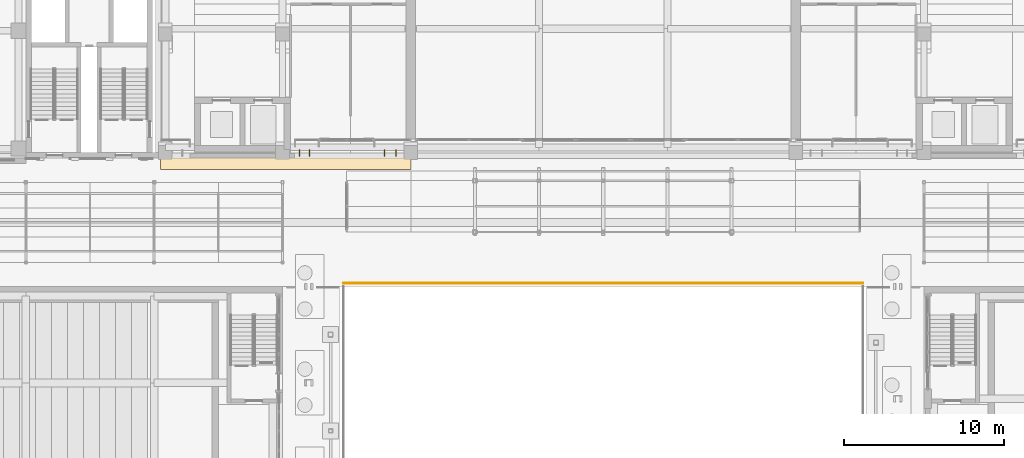
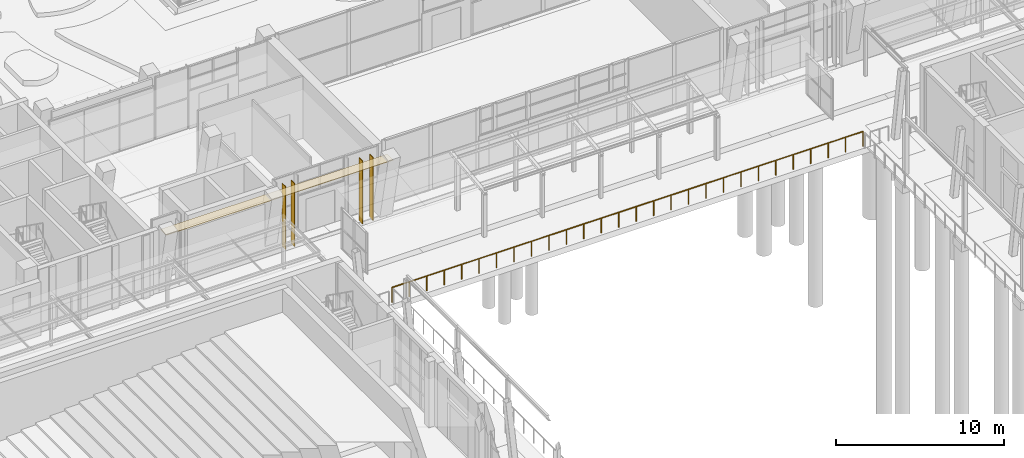
# One storey, part 123 of 144: 4 shading devices, 1 covering, 1 railing.
"""IFC4 building model written with IfcOpenShell, lengths in metres."""

import ifcopenshell
import ifcopenshell.guid

model = None  # the IFC model being written
_history = None  # IfcOwnerHistory: only IFC2X3 demands one
_inside = {}  # id of a spatial element -> (the spatial element, [elements in it])
_under = {}  # id of a project, library or spatial element -> (it, [spatial elements below it])
_declared = {}  # id of a project -> (the project, [libraries it declares])
_typed = {}  # id of a type object -> (the type object, [elements of that type])
_made_of = {}  # id of a material, layer set ... -> (it, [elements and type objects made of it])


def new_model(schema):
    """Start an empty IFC model of exactly this schema.

    Asked for "IFC4X3", IfcOpenShell would pick the latest addendum, in which some entities
    have other attributes; the version numbers below select the first issue.
    IFC2X3 requires an IfcOwnerHistory on every rooted entity: one is made here for all.
    """
    global model, _history
    if schema == "IFC4X3":
        model = ifcopenshell.file(schema_version=(4, 3, 0, 0))
    else:
        model = ifcopenshell.file(schema=schema)
    _inside.clear()
    _under.clear()
    _declared.clear()
    _typed.clear()
    _made_of.clear()
    _history = None
    if model.schema == "IFC2X3":
        org = make("IfcOrganization", Name="unknown")
        user = make(
            "IfcPersonAndOrganization",
            ThePerson=make("IfcPerson", FamilyName="unknown"),
            TheOrganization=org,
        )
        app = make(
            "IfcApplication",
            ApplicationDeveloper=org,
            Version="unknown",
            ApplicationFullName="unknown",
            ApplicationIdentifier="unknown",
        )
        _history = make(
            "IfcOwnerHistory",
            OwningUser=user,
            OwningApplication=app,
            ChangeAction="ADDED",
            CreationDate=0,
        )
    return model


def make(cls, **values):
    """One entity of the class cls with the attributes given. An attribute that is None is left unset."""
    return model.create_entity(
        cls, **{name: value for name, value in values.items() if value is not None}
    )


def rooted(cls, **values):
    """An entity with a GlobalId (a new one), such as an element, a storey or a relation."""
    return make(cls, GlobalId=ifcopenshell.guid.new(), OwnerHistory=_history, **values)


def si_unit(unit_type, name, prefix=None):
    """IfcSIUnit, for example si_unit("LENGTHUNIT", "METRE", prefix="MILLI")."""
    return make("IfcSIUnit", UnitType=unit_type, Prefix=prefix, Name=name)


def assignment(units):
    """IfcUnitAssignment: the units of a project."""
    return None if units is None else make("IfcUnitAssignment", Units=units)


def point(xyz):
    """IfcCartesianPoint."""
    return None if xyz is None else make("IfcCartesianPoint", Coordinates=xyz)


def direction(xyz):
    """IfcDirection."""
    return None if xyz is None else make("IfcDirection", DirectionRatios=xyz)


def frame(location, z_axis=None, x_axis=None):
    """IfcAxis2Placement3D, a coordinate frame: its origin and axes. An axis left out is left unset."""
    return make(
        "IfcAxis2Placement3D",
        Location=point(location),
        Axis=direction(z_axis),
        RefDirection=direction(x_axis),
    )


def frame_2d(location, x_axis=None):
    """IfcAxis2Placement2D, a coordinate frame in the plane: its origin and x axis."""
    return make(
        "IfcAxis2Placement2D", Location=point(location), RefDirection=direction(x_axis)
    )


def origin():
    """The frame at (0, 0, 0) with its axes left unset."""
    return frame((0.0, 0.0, 0.0))


def origin_2d():
    """The frame at (0, 0) in the plane with its x axis left unset."""
    return frame_2d((0.0, 0.0))


def place(relative_to, where):
    """IfcLocalPlacement: puts the frame where relative to a parent placement (None: the world)."""
    return make(
        "IfcLocalPlacement", PlacementRelTo=relative_to, RelativePlacement=where
    )


def context(
    kind, dimensions, precision=None, world=None, true_north=None, identifier=None
):
    """IfcGeometricRepresentationContext, for example the 3D "Model" context."""
    return make(
        "IfcGeometricRepresentationContext",
        ContextIdentifier=identifier,
        ContextType=kind,
        CoordinateSpaceDimension=dimensions,
        Precision=precision,
        WorldCoordinateSystem=world,
        TrueNorth=true_north,
    )


def subcontext(parent, identifier, kind, view, scale=None):
    """IfcGeometricRepresentationSubContext, for example "Body" below "Model"."""
    return make(
        "IfcGeometricRepresentationSubContext",
        ContextIdentifier=identifier,
        ContextType=kind,
        ParentContext=parent,
        TargetScale=scale,
        TargetView=view,
    )


def project(units=None, contexts=None):
    """IfcProject with its units and contexts."""
    return rooted(
        "IfcProject",
        Name="project",
        RepresentationContexts=contexts,
        UnitsInContext=assignment(units),
    )


def spatial(cls, under=None, at=None, **own):
    """A site, building, storey or space (cls), placed at a placement, below another one or the project."""
    s = rooted(cls, ObjectPlacement=at, **own)
    if under is not None:
        _under.setdefault(under.id(), (under, []))[1].append(s)
    return s


def profile(cls, at=None, kind="AREA", **sizes):
    """A parametric profile (cls). Its sizes go by their IFC names, for example OverallWidth=200.0."""
    return make(cls, ProfileType=kind, Position=at, **sizes)


def rectangle(**sizes):
    """IfcRectangleProfileDef."""
    return profile("IfcRectangleProfileDef", **sizes)


def circle(**sizes):
    """IfcCircleProfileDef."""
    return profile("IfcCircleProfileDef", **sizes)


def extrude(swept, where, along, depth):
    """IfcExtrudedAreaSolid: the profile swept, set in the frame where, extruded along a direction by depth."""
    return make(
        "IfcExtrudedAreaSolid",
        SweptArea=swept,
        Position=where,
        ExtrudedDirection=direction(along),
        Depth=depth,
    )


def shape(context_of_items, identifier, shape_type, items):
    """IfcShapeRepresentation: the items that make up one representation, for example the "Body"."""
    return make(
        "IfcShapeRepresentation",
        ContextOfItems=context_of_items,
        RepresentationIdentifier=identifier,
        RepresentationType=shape_type,
        Items=items,
    )


def material(Name=None, Category=None):
    """IfcMaterial."""
    return make("IfcMaterial", Name=Name, Category=Category)


def layer(
    of_material, thickness, ventilated=None, Name=None, Category=None, Priority=None
):
    """IfcMaterialLayer: one layer of a wall or slab, of a material (None: an air gap)."""
    return make(
        "IfcMaterialLayer",
        Material=of_material,
        LayerThickness=thickness,
        IsVentilated=ventilated,
        Name=Name,
        Category=Category,
        Priority=Priority,
    )


def layer_set(layers, Name=None):
    """IfcMaterialLayerSet."""
    return make("IfcMaterialLayerSet", MaterialLayers=layers, LayerSetName=Name)


def made_of(thing, what):
    """Note that an element or type object is made of a material, layer set ...; save() writes the relation."""
    if what is not None:
        _made_of.setdefault(what.id(), (what, []))[1].append(thing)
    return thing


def type_object(cls, material=None, **own):
    """A type object (cls), such as IfcWallType, which elements share."""
    return made_of(rooted(cls, **own), material)


def element(
    cls,
    number,
    at=None,
    inside=None,
    cuts=None,
    type_object=None,
    material=None,
    context=None,
    identifier="Body",
    shape_type=None,
    held_by="IfcProductDefinitionShape",
    body=None,
    shapes=None,
    **own,
):
    """One element of the class cls, such as IfcWall. Its Tag is "e" and its number.

    at: its placement. inside: the storey or other place that contains it. cuts: it is an
    opening in that element (IfcRelVoidsElement). A single representation is given by context,
    identifier, shape_type and body (its items); several are given by shapes. held_by: the class
    of the entity that holds the representations. save() writes the other relations.
    """
    e = rooted(cls, Tag="e%d" % number, ObjectPlacement=at, **own)
    if body is not None:
        shapes = [shape(context, identifier, shape_type, body)]
    if shapes is not None:
        e.Representation = make(held_by, Representations=shapes)
    if inside is not None:
        _inside.setdefault(inside.id(), (inside, []))[1].append(e)
    if cuts is not None:
        rooted(
            "IfcRelVoidsElement", RelatingBuildingElement=cuts, RelatedOpeningElement=e
        )
    if type_object is not None:
        _typed.setdefault(type_object.id(), (type_object, []))[1].append(e)
    return made_of(e, material)


def aggregate(whole, parts):
    """IfcRelAggregates: a whole, such as a stair, and the parts it consists of."""
    return rooted("IfcRelAggregates", RelatingObject=whole, RelatedObjects=parts)


def save(model, path):
    """Write the relations noted so far, then the file.

    IfcRelAggregates (storeys below a building ...), IfcRelContainedInSpatialStructure (elements
    in a storey), IfcRelDefinesByType, IfcRelAssociatesMaterial and IfcRelDeclares: one each for
    every whole, place, type object, material and project.
    """
    for whole, parts in _under.values():
        aggregate(whole, parts)
    for where, things in _inside.values():
        rooted(
            "IfcRelContainedInSpatialStructure",
            RelatedElements=things,
            RelatingStructure=where,
        )
    for kind, things in _typed.values():
        rooted("IfcRelDefinesByType", RelatedObjects=things, RelatingType=kind)
    for what, things in _made_of.values():
        rooted("IfcRelAssociatesMaterial", RelatedObjects=things, RelatingMaterial=what)
    for by, libraries in _declared.values():
        rooted("IfcRelDeclares", RelatingContext=by, RelatedDefinitions=libraries)
    model.write(path)


model = new_model("IFC4")

# Units and contexts
model_context = context("Model", 3, precision=1e-05, world=origin(), true_north=direction((0.0, 1.0)))
body_context = subcontext(model_context, "Body", "Model", "MODEL_VIEW")
ifc_project = project(units=[si_unit("LENGTHUNIT", "METRE"), si_unit("AREAUNIT", "SQUARE_METRE"), si_unit("VOLUMEUNIT", "CUBIC_METRE"), si_unit("PLANEANGLEUNIT", "RADIAN"), si_unit("MASSUNIT", "GRAM", prefix="KILO")], contexts=[model_context])

# Site, building, storey
site_placement = place(None, origin())
site = spatial("IfcSite", under=ifc_project, at=site_placement, CompositionType="ELEMENT")
building_placement = place(site_placement, origin())
building = spatial("IfcBuilding", under=site, at=building_placement, Name="Lantern Court Media Centre", CompositionType="ELEMENT")
storey_placement = place(building_placement, origin())
storey = spatial("IfcBuildingStorey", under=building, at=storey_placement, Name="L00", CompositionType="ELEMENT", Elevation=0.0)

# Railing
ifc_material_1 = material(Name="Steel, galvanised", Category="steel")
railing_type = type_object("IfcRailingType", Name="Forecourt guard 1100", PredefinedType="GUARDRAIL", material=ifc_material_1)
railing_placement = place(storey_placement, frame((35.800048828125, 40.199951171875, 0.0)))
element("IfcRailing", 1, at=railing_placement, inside=storey, type_object=railing_type, Name="Forecourt north edge guard", PredefinedType="GUARDRAIL", context=body_context, shape_type="SweptSolid", body=[
    extrude(circle(Radius=0.02392578125, at=origin_2d()), frame((0.0, 0.0, 1.076171875), z_axis=(1.0, 0.0, 0.0), x_axis=(0.0, 1.0, 0.0)), (0.0, 0.0, 1.0), 32.39990234375),
    extrude(circle(Radius=0.02099609375, at=origin_2d()), origin(), (0.0, 0.0, 1.0), 1.052001953125),
    extrude(circle(Radius=0.02099609375, at=origin_2d()), frame((1.199951171875, 0.0, 0.0)), (0.0, 0.0, 1.0), 1.052001953125),
    extrude(circle(Radius=0.02099609375, at=origin_2d()), frame((2.39990234375, 0.0, 0.0)), (0.0, 0.0, 1.0), 1.052001953125),
    extrude(circle(Radius=0.02099609375, at=origin_2d()), frame((3.60009765625, 0.0, 0.0)), (0.0, 0.0, 1.0), 1.052001953125),
    extrude(circle(Radius=0.02099609375, at=origin_2d()), frame((4.800048828125, 0.0, 0.0)), (0.0, 0.0, 1.0), 1.052001953125),
    extrude(circle(Radius=0.02099609375, at=origin_2d()), frame((6.0, 0.0, 0.0)), (0.0, 0.0, 1.0), 1.052001953125),
    extrude(circle(Radius=0.02099609375, at=origin_2d()), frame((7.199951171875, 0.0, 0.0)), (0.0, 0.0, 1.0), 1.052001953125),
    extrude(circle(Radius=0.02099609375, at=origin_2d()), frame((8.39990234375, 0.0, 0.0)), (0.0, 0.0, 1.0), 1.052001953125),
    extrude(circle(Radius=0.02099609375, at=origin_2d()), frame((9.599853515625, 0.0, 0.0)), (0.0, 0.0, 1.0), 1.052001953125),
    extrude(circle(Radius=0.02099609375, at=origin_2d()), frame((10.800048828125, 0.0, 0.0)), (0.0, 0.0, 1.0), 1.052001953125),
    extrude(circle(Radius=0.02099609375, at=origin_2d()), frame((12.0, 0.0, 0.0)), (0.0, 0.0, 1.0), 1.052001953125),
    extrude(circle(Radius=0.02099609375, at=origin_2d()), frame((13.199951171875, 0.0, 0.0)), (0.0, 0.0, 1.0), 1.052001953125),
    extrude(circle(Radius=0.02099609375, at=origin_2d()), frame((14.39990234375, 0.0, 0.0)), (0.0, 0.0, 1.0), 1.052001953125),
    extrude(circle(Radius=0.02099609375, at=origin_2d()), frame((15.599853515625, 0.0, 0.0)), (0.0, 0.0, 1.0), 1.052001953125),
    extrude(circle(Radius=0.02099609375, at=origin_2d()), frame((16.800048828125, 0.0, 0.0)), (0.0, 0.0, 1.0), 1.052001953125),
    extrude(circle(Radius=0.02099609375, at=origin_2d()), frame((18.0, 0.0, 0.0)), (0.0, 0.0, 1.0), 1.052001953125),
    extrude(circle(Radius=0.02099609375, at=origin_2d()), frame((19.199951171875, 0.0, 0.0)), (0.0, 0.0, 1.0), 1.052001953125),
    extrude(circle(Radius=0.02099609375, at=origin_2d()), frame((20.39990234375, 0.0, 0.0)), (0.0, 0.0, 1.0), 1.052001953125),
    extrude(circle(Radius=0.02099609375, at=origin_2d()), frame((21.599853515625, 0.0, 0.0)), (0.0, 0.0, 1.0), 1.052001953125),
    extrude(circle(Radius=0.02099609375, at=origin_2d()), frame((22.800048828125, 0.0, 0.0)), (0.0, 0.0, 1.0), 1.052001953125),
    extrude(circle(Radius=0.02099609375, at=origin_2d()), frame((24.0, 0.0, 0.0)), (0.0, 0.0, 1.0), 1.052001953125),
    extrude(circle(Radius=0.02099609375, at=origin_2d()), frame((25.199951171875, 0.0, 0.0)), (0.0, 0.0, 1.0), 1.052001953125),
    extrude(circle(Radius=0.02099609375, at=origin_2d()), frame((26.39990234375, 0.0, 0.0)), (0.0, 0.0, 1.0), 1.052001953125),
    extrude(circle(Radius=0.02099609375, at=origin_2d()), frame((27.599853515625, 0.0, 0.0)), (0.0, 0.0, 1.0), 1.052001953125),
    extrude(circle(Radius=0.02099609375, at=origin_2d()), frame((28.7998046875, 0.0, 0.0)), (0.0, 0.0, 1.0), 1.052001953125),
    extrude(circle(Radius=0.02099609375, at=origin_2d()), frame((30.0, 0.0, 0.0)), (0.0, 0.0, 1.0), 1.052001953125),
    extrude(circle(Radius=0.02099609375, at=origin_2d()), frame((31.199951171875, 0.0, 0.0)), (0.0, 0.0, 1.0), 1.052001953125),
    extrude(circle(Radius=0.02099609375, at=origin_2d()), frame((32.39990234375, 0.0, 0.0)), (0.0, 0.0, 1.0), 1.052001953125),
])

# Covering
ifc_material_2 = material(Name="White fibre cement soffit board")
ifc_layer_1 = layer(ifc_material_2, 0.0400390625)
ifc_layer_set_1 = layer_set([ifc_layer_1], Name="White fibre cement soffit board")
covering_type = type_object("IfcCoveringType", Name="Soffit lining 40", PredefinedType="CLADDING", material=ifc_layer_set_1)
covering_placement = place(storey_placement, frame((24.39990234375, 47.64990234375, 4.5400390625), z_axis=(0.0, 0.0, 1.0), x_axis=(1.0, 0.0, 0.0)))
element("IfcCovering", 2, at=covering_placement, inside=storey, type_object=covering_type, Name="Soffit lining S L00", PredefinedType="CLADDING", context=body_context, shape_type="SweptSolid", body=[
    extrude(rectangle(XDim=15.60009765625, YDim=0.699951171875, at=frame_2d((7.800048828125, 0.0))), origin(), (0.0, 0.0, 1.0), 0.0400390625),
])

# Shading devices
ifc_material_3 = material(Name="Bronze anodised aluminium louvre", Category="aluminium")
ifc_layer_2 = layer(ifc_material_3, 0.0400390625)
ifc_layer_set_2 = layer_set([ifc_layer_2], Name="Bronze anodised aluminium louvre")
shading_device_type = type_object("IfcShadingDeviceType", Name="Vertical louvre 40x400 full storey", PredefinedType="USERDEFINED", material=ifc_layer_set_2)
for number, where, z_axis, x_axis, name in (
    (3, (33.0625, 48.320068359375, 0.0), (0.0, 0.0, 1.0), (1.0, 0.0, 0.0), "Vertical louvre S outer L00"),
    (4, (33.6875, 48.320068359375, 0.0), (0.0, 0.0, 1.0), (1.0, 0.0, 0.0), "Vertical louvre S outer L00"),
    (5, (38.362548828125, 48.320068359375, 0.0), (0.0, 0.0, 1.0), (1.0, 0.0, 0.0), "Vertical louvre S outer L00"),
    (6, (39.08740234375, 48.320068359375, 0.0), (0.0, 0.0, 1.0), (1.0, 0.0, 0.0), "Vertical louvre S outer L00"),
):
    element("IfcShadingDevice", number, at=place(storey_placement, frame(where, z_axis=z_axis, x_axis=x_axis)), inside=storey, type_object=shading_device_type, Name=name, ObjectType="VERTICAL LOUVRE", PredefinedType="USERDEFINED", context=body_context, shape_type="SweptSolid", body=[
        extrude(rectangle(XDim=0.0400390625, YDim=0.39990234375, at=origin_2d()), origin(), (0.0, 0.0, 1.0), 4.580078125),
    ])

save(model, "model.ifc")
